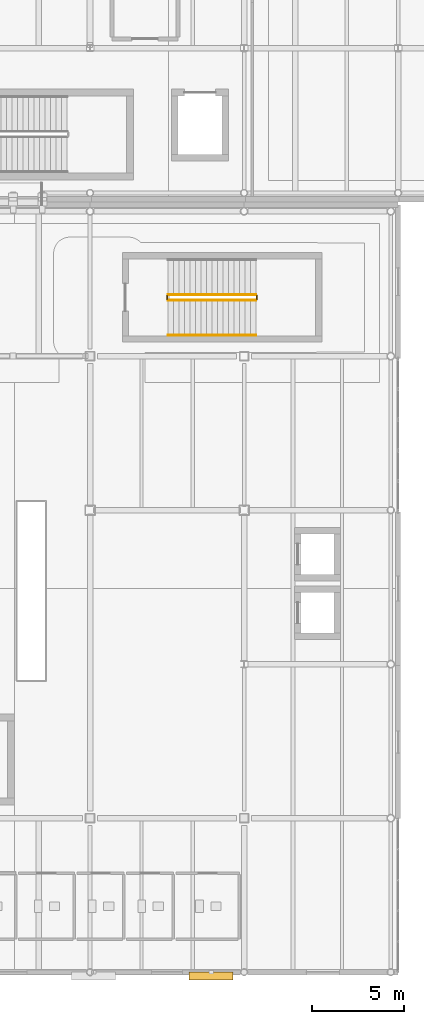
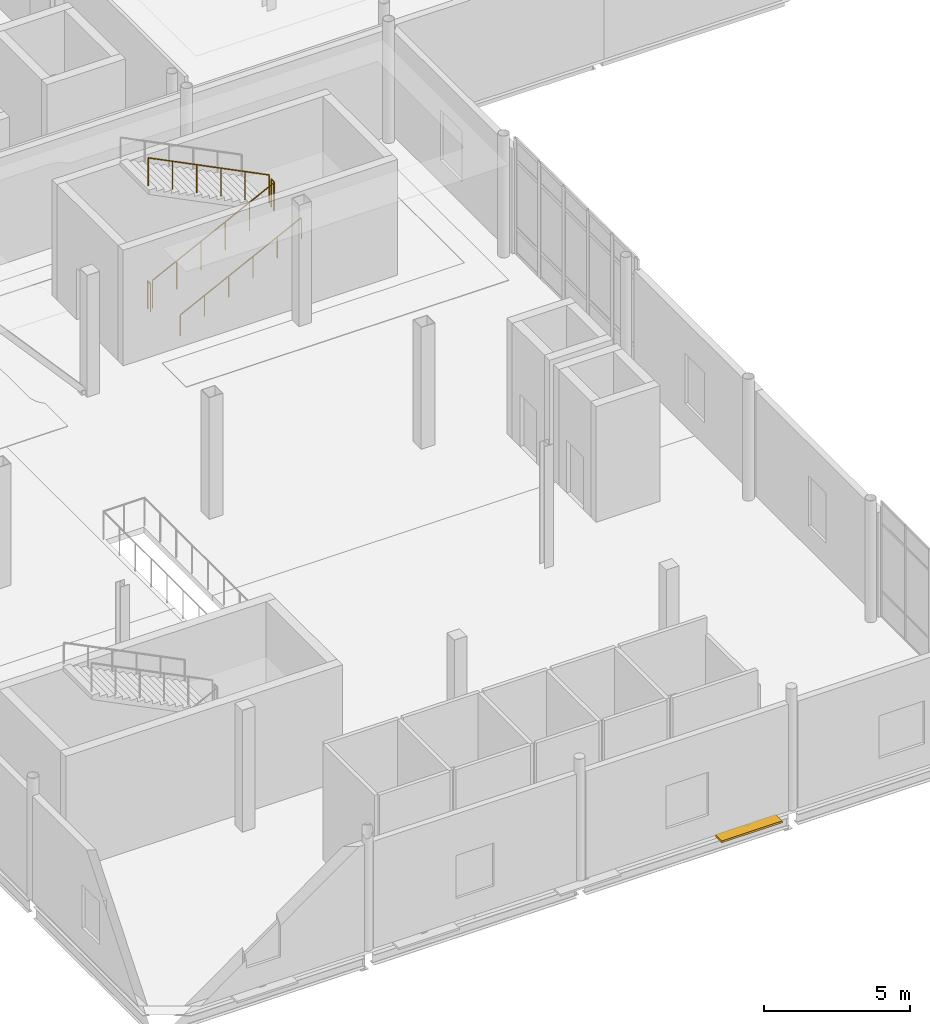
# One storey, part 100 of 104: 5 railings, 1 shading device.
"""IFC4 building model written with IfcOpenShell, lengths in metres."""

from ifc_helpers import new_model, si_unit, direction, frame, origin, origin_2d, place, context, subcontext, project, spatial, rectangle, circle, extrude, material, type_object, element, save


model = new_model("IFC4")

# Units and contexts
model_context = context("Model", 3, precision=1e-05, world=origin(), true_north=direction((0.0, 1.0)))
body_context = subcontext(model_context, "Body", "Model", "MODEL_VIEW")
ifc_project = project(units=[si_unit("LENGTHUNIT", "METRE"), si_unit("AREAUNIT", "SQUARE_METRE"), si_unit("VOLUMEUNIT", "CUBIC_METRE"), si_unit("PLANEANGLEUNIT", "RADIAN"), si_unit("MASSUNIT", "GRAM", prefix="KILO"), si_unit("THERMODYNAMICTEMPERATUREUNIT", "KELVIN")], contexts=[model_context])

# Site, building, storey
site_placement = place(None, origin())
site = spatial("IfcSite", under=ifc_project, at=site_placement, CompositionType="ELEMENT")
building_placement = place(site_placement, origin())
building = spatial("IfcBuilding", under=site, at=building_placement, Name="Lustrewick Department Store", CompositionType="ELEMENT")
storey_placement = place(building_placement, frame((0.0, 0.0, 11.39990234375)))
storey = spatial("IfcBuildingStorey", under=building, at=storey_placement, Name="L03", CompositionType="ELEMENT", Elevation=11.39990234375)

# Railings
ifc_material_1 = material(Name="Painted tubular steel stairwell guardrail", Category="steel")
railing_type_1 = type_object("IfcRailingType", Name="RL-STG", PredefinedType="GUARDRAIL", material=ifc_material_1)
railing_1_placement = place(storey_placement, frame((138.64990234375, 45.050048828125, 0.150146484375)))
element("IfcRailing", 1, at=railing_1_placement, inside=storey, type_object=railing_type_1, Name="L03 ST08 Stair Guard 1", PredefinedType="GUARDRAIL", context=body_context, shape_type="SweptSolid", body=[
    extrude(circle(Radius=0.02392578125, at=origin_2d()), frame((0.0, 0.0, 1.17578125), z_axis=(0.894436289399, 0.0, 0.44719539824), x_axis=(0.0, 1.0, 0.0)), (0.0, 0.0, 1.0), 5.366455078125),
    extrude(circle(Radius=0.02099609375, at=origin_2d()), origin(), (0.0, 0.0, 1.0), 1.15185546875),
    extrude(circle(Radius=0.02099609375, at=origin_2d()), frame((0.9599609375, 0.0, 0.47998046875)), (0.0, 0.0, 1.0), 1.15185546875),
    extrude(circle(Radius=0.02099609375, at=origin_2d()), frame((1.919921875, 0.0, 0.9599609375)), (0.0, 0.0, 1.0), 1.15185546875),
    extrude(circle(Radius=0.02099609375, at=origin_2d()), frame((2.880126953125, 0.0, 1.43994140625)), (0.0, 0.0, 1.0), 1.15185546875),
    extrude(circle(Radius=0.02099609375, at=origin_2d()), frame((3.840087890625, 0.0, 1.919921875)), (0.0, 0.0, 1.0), 1.15185546875),
    extrude(circle(Radius=0.02099609375, at=origin_2d()), frame((4.800048828125, 0.0, 2.39990234375)), (0.0, 0.0, 1.0), 1.15185546875),
])
railing_2_placement = place(storey_placement, frame((143.5, 45.10009765625, 2.550048828125)))
element("IfcRailing", 2, at=railing_2_placement, inside=storey, type_object=railing_type_1, Name="L03 ST08 Stair Guard 2", PredefinedType="GUARDRAIL", context=body_context, shape_type="SweptSolid", body=[
    extrude(circle(Radius=0.02392578125, at=origin_2d()), frame((0.0, 0.0, 1.17578125), z_axis=(0.0, 1.0, 0.0), x_axis=(-1.0, 0.0, 0.0)), (0.0, 0.0, 1.0), 0.199951171875),
    extrude(circle(Radius=0.02099609375, at=origin_2d()), origin(), (0.0, 0.0, 1.0), 1.15185546875),
    extrude(circle(Radius=0.02099609375, at=origin_2d()), frame((0.0, 0.199951171875, 0.0)), (0.0, 0.0, 1.0), 1.15185546875),
])
railing_3_placement = place(storey_placement, frame((143.449951171875, 45.35009765625, 2.7001953125)))
element("IfcRailing", 3, at=railing_3_placement, inside=storey, type_object=railing_type_1, Name="L03 ST08 Stair Guard 3", PredefinedType="GUARDRAIL", context=body_context, shape_type="SweptSolid", body=[
    extrude(circle(Radius=0.02392578125, at=origin_2d()), frame((0.0, 0.0, 1.17578125), z_axis=(-0.894436289399, 0.0, 0.44719539824), x_axis=(0.0, -1.0, 0.0)), (0.0, 0.0, 1.0), 5.366455078125),
    extrude(circle(Radius=0.02099609375, at=origin_2d()), origin(), (0.0, 0.0, 1.0), 1.15185546875),
    extrude(circle(Radius=0.02099609375, at=origin_2d()), frame((-0.9599609375, 0.0, 0.47998046875)), (0.0, 0.0, 1.0), 1.15185546875),
    extrude(circle(Radius=0.02099609375, at=origin_2d()), frame((-1.919921875, 0.0, 0.9599609375)), (0.0, 0.0, 1.0), 1.15185546875),
    extrude(circle(Radius=0.02099609375, at=origin_2d()), frame((-2.880126953125, 0.0, 1.43994140625)), (0.0, 0.0, 1.0), 1.15185546875),
    extrude(circle(Radius=0.02099609375, at=origin_2d()), frame((-3.840087890625, 0.0, 1.919921875)), (0.0, 0.0, 1.0), 1.15185546875),
    extrude(circle(Radius=0.02099609375, at=origin_2d()), frame((-4.800048828125, 0.0, 2.39990234375)), (0.0, 0.0, 1.0), 1.15185546875),
])
railing_4_placement = place(storey_placement, frame((138.60009765625, 45.10009765625, 0.0)))
element("IfcRailing", 4, at=railing_4_placement, inside=storey, type_object=railing_type_1, Name="L03 ST08 Stair Guard 4", PredefinedType="GUARDRAIL", context=body_context, shape_type="SweptSolid", body=[
    extrude(circle(Radius=0.02392578125, at=origin_2d()), frame((0.0, 0.0, 1.17578125), z_axis=(0.0, 1.0, 0.0), x_axis=(-1.0, 0.0, 0.0)), (0.0, 0.0, 1.0), 0.199951171875),
    extrude(circle(Radius=0.02099609375, at=origin_2d()), origin(), (0.0, 0.0, 1.0), 1.15185546875),
    extrude(circle(Radius=0.02099609375, at=origin_2d()), frame((0.0, 0.199951171875, 0.0)), (0.0, 0.0, 1.0), 1.15185546875),
])
ifc_material_2 = material(Name="Brushed stainless steel wall handrail", Category="steel")
railing_type_2 = type_object("IfcRailingType", Name="RL-STH", PredefinedType="HANDRAIL", material=ifc_material_2)
railing_5_placement = place(storey_placement, frame((138.64990234375, 43.14990234375, 0.150146484375)))
element("IfcRailing", 5, at=railing_5_placement, inside=storey, type_object=railing_type_2, Name="L03 ST08 Stair Handrail 1", PredefinedType="HANDRAIL", context=body_context, shape_type="SweptSolid", body=[
    extrude(circle(Radius=0.02392578125, at=origin_2d()), frame((0.0, 0.0, 0.8759765625), z_axis=(0.894436289399, 0.0, 0.44719539824), x_axis=(0.0, 1.0, 0.0)), (0.0, 0.0, 1.0), 5.366455078125),
    extrude(circle(Radius=0.02099609375, at=origin_2d()), origin(), (0.0, 0.0, 1.0), 0.851806640625),
    extrude(circle(Radius=0.02099609375, at=origin_2d()), frame((0.9599609375, 0.0, 0.47998046875)), (0.0, 0.0, 1.0), 0.851806640625),
    extrude(circle(Radius=0.02099609375, at=origin_2d()), frame((1.919921875, 0.0, 0.9599609375)), (0.0, 0.0, 1.0), 0.851806640625),
    extrude(circle(Radius=0.02099609375, at=origin_2d()), frame((2.880126953125, 0.0, 1.43994140625)), (0.0, 0.0, 1.0), 0.851806640625),
    extrude(circle(Radius=0.02099609375, at=origin_2d()), frame((3.840087890625, 0.0, 1.919921875)), (0.0, 0.0, 1.0), 0.851806640625),
    extrude(circle(Radius=0.02099609375, at=origin_2d()), frame((4.800048828125, 0.0, 2.39990234375)), (0.0, 0.0, 1.0), 0.851806640625),
])

# Shading device
ifc_material_3 = material(Name="Perforated white powder-coated aluminium 3003-H24", Category="aluminium")
shading_device_type = type_object("IfcShadingDeviceType", Name="SHD-LOUV", PredefinedType="USERDEFINED", material=ifc_material_3)
shading_device_placement = place(storey_placement, frame((141.0, 8.199951171875, -0.159912109375), z_axis=(0.0, 0.0, 1.0), x_axis=(1.0, 0.0, 0.0)))
element("IfcShadingDevice", 6, at=shading_device_placement, inside=storey, type_object=shading_device_type, Name="L03 External Sun Louvre 08", ObjectType="LOUVRE", PredefinedType="USERDEFINED", context=body_context, shape_type="SweptSolid", body=[
    extrude(rectangle(XDim=2.39990234375, YDim=0.449951171875, at=origin_2d()), origin(), (0.0, 0.0, 1.0), 0.080078125),
])

save(model, "model.ifc")
